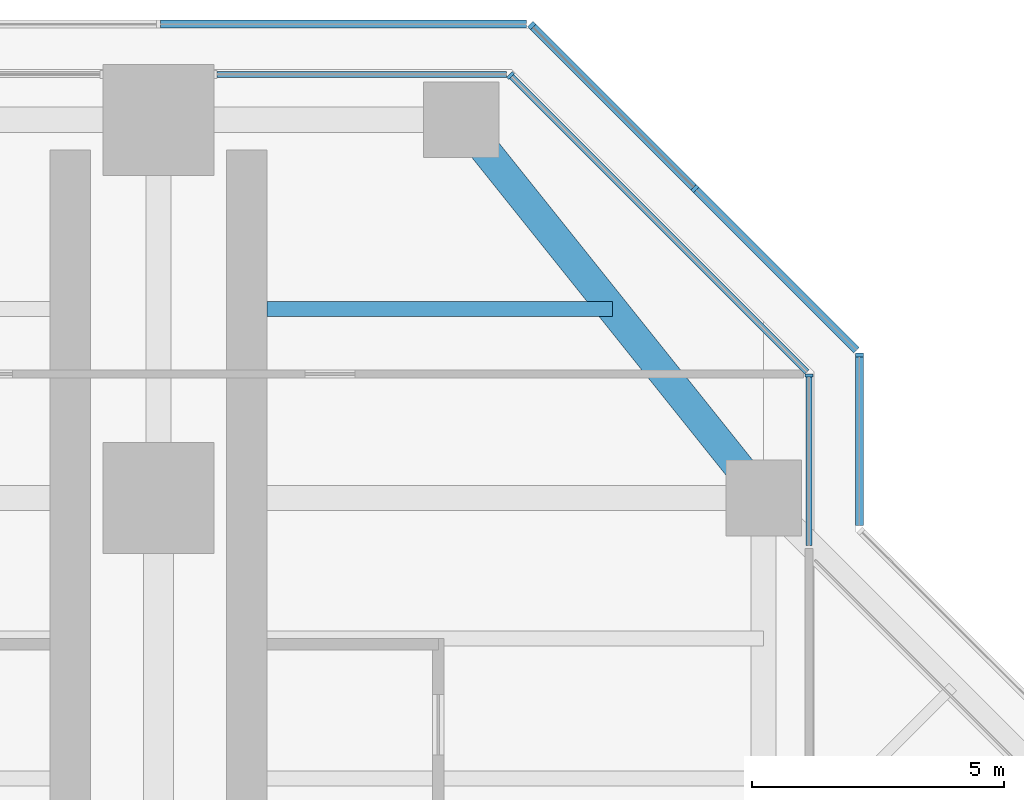
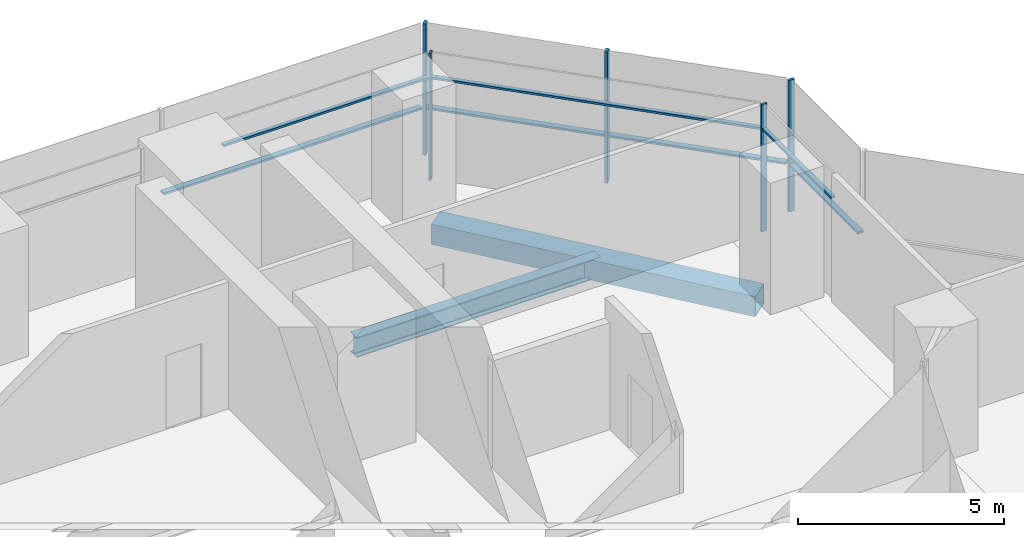
# One storey, part 9 of 17: 12 members, 2 beams, 6 elements without a shape of their own.
"""IFC4 building model written with IfcOpenShell, lengths in metres."""

from ifc_helpers import new_model, si_unit, direction, frame, origin, origin_2d, place, context, subcontext, project, spatial, rectangle, hollow_rectangle, i_section, extrude, material, material_profile, profile_set, type_object, element, aggregate, save


model = new_model("IFC4")

# Units and contexts
model_context = context("Model", 3, precision=1e-05, world=origin(), true_north=direction((0.0, 1.0)))
body_context = subcontext(model_context, "Body", "Model", "MODEL_VIEW")
ifc_project = project(units=[si_unit("LENGTHUNIT", "METRE"), si_unit("AREAUNIT", "SQUARE_METRE"), si_unit("VOLUMEUNIT", "CUBIC_METRE"), si_unit("PLANEANGLEUNIT", "RADIAN"), si_unit("MASSUNIT", "GRAM", prefix="KILO")], contexts=[model_context])

# Site, building, storey
site_placement = place(None, origin())
site = spatial("IfcSite", under=ifc_project, at=site_placement, CompositionType="ELEMENT")
building_placement = place(site_placement, origin())
building = spatial("IfcBuilding", under=site, at=building_placement, Name="Mizan Broadcast Tower", CompositionType="ELEMENT")
storey_placement = place(building_placement, frame((0.0, 0.0, 236.10009765625)))
storey = spatial("IfcBuildingStorey", under=building, at=storey_placement, Name="L55", CompositionType="ELEMENT", Elevation=236.10009765625)

# Beam
ifc_material_1 = material(Name="Steel S355", Category="steel")
ifc_material_profile_1 = material_profile(ifc_material_1, hollow_rectangle(XDim=0.60009765625, YDim=0.60009765625, WallThickness=0.030029296875, at=origin_2d()), Name="BOX 600x600x30")
ifc_profile_set_1 = profile_set([ifc_material_profile_1], Name="Steel S355")
beam_type_1 = type_object("IfcBeamType", Name="EDGE BEAM BOX 600x600x30", PredefinedType="SPANDREL", material=ifc_profile_set_1)
beam_1_placement = place(storey_placement, frame((11.639892578125, 19.949951171875, -0.43017578125), z_axis=(-0.624673911726, 0.780885717636, 0.0), x_axis=(-0.780885717636, -0.624673911726, 0.0)))
element("IfcBeam", 1, at=beam_1_placement, inside=storey, type_object=beam_type_1, Name="Edge beam BOX 600x600x30 L55 north arm", PredefinedType="SPANDREL", context=body_context, shape_type="SweptSolid", body=[
    extrude(hollow_rectangle(XDim=0.60009765625, YDim=0.60009765625, WallThickness=0.030029296875, at=origin_2d()), origin(), (0.0, 0.0, 1.0), 8.4521484375),
])

# Curtain wall, member
ifc_material_2 = material(Name="Aluminium framed glazing", Category="aluminium")
curtain_wall_type_1 = type_object("IfcCurtainWallType", Name="INNER SKIN HIGH ZONE", PredefinedType="USERDEFINED", material=ifc_material_2)
curtain_wall_1_placement = place(storey_placement, origin())
curtain_wall_1 = element("IfcCurtainWall", 2, at=curtain_wall_1_placement, inside=storey, type_object=curtain_wall_type_1, Name="Inner skin high zone L55 N side", ObjectType="INNER SKIN HIGH ZONE", PredefinedType="USERDEFINED")
ifc_material_3 = material(Name="Aluminium, pale anodised", Category="aluminium")
ifc_material_profile_2 = material_profile(ifc_material_3, rectangle(XDim=0.159912109375, YDim=0.06005859375, at=origin_2d()), Name="MULLION 160x60")
ifc_profile_set_2 = profile_set([ifc_material_profile_2], Name="Aluminium, pale anodised")
member_type_1 = type_object("IfcMemberType", Name="INNER SKIN MULLION 60x160", PredefinedType="MULLION", material=ifc_profile_set_2)
member_1_placement = place(storey_placement, frame((12.89990234375, 21.928466796875, 0.0), z_axis=(0.0, 0.0, 1.0), x_axis=(-1.0, 0.0, 0.0)))
member_1 = element("IfcMember", 3, at=member_1_placement, type_object=member_type_1, Name="Inner skin high zone L55 N side mullion 2", PredefinedType="MULLION", context=body_context, shape_type="SweptSolid", body=[
    extrude(rectangle(XDim=0.159912109375, YDim=0.06005859375, at=origin_2d()), origin(), (0.0, 0.0, 1.0), 3.77001953125),
])

curtain_wall_2_placement = place(storey_placement, origin())
curtain_wall_2 = element("IfcCurtainWall", 4, at=curtain_wall_2_placement, inside=storey, type_object=curtain_wall_type_1, Name="Inner skin high zone L55 N chamfer", ObjectType="INNER SKIN HIGH ZONE", PredefinedType="USERDEFINED")
member_2_placement = place(storey_placement, frame((6.979736328125, 27.87890625, 0.0), z_axis=(0.0, 0.0, 1.0), x_axis=(-0.707106781187, -0.707106781187, 0.0)))
member_2 = element("IfcMember", 5, at=member_2_placement, type_object=member_type_1, Name="Inner skin high zone L55 N chamfer mullion 2", PredefinedType="MULLION", context=body_context, shape_type="SweptSolid", body=[
    extrude(rectangle(XDim=0.159912109375, YDim=0.06005859375, at=origin_2d()), origin(), (0.0, 0.0, 1.0), 3.77001953125),
])

# Member
ifc_material_4 = material(Name="Aluminium, pale anodised", Category="aluminium")
ifc_material_profile_3 = material_profile(ifc_material_4, rectangle(XDim=0.1201171875, YDim=0.06005859375, at=origin_2d()), Name="TRANSOM 120x60")
ifc_profile_set_3 = profile_set([ifc_material_profile_3], Name="Aluminium, pale anodised")
member_type_2 = type_object("IfcMemberType", Name="INNER SKIN TRANSOM 60x120", PredefinedType="USERDEFINED", material=ifc_profile_set_3)
member_3_placement = place(storey_placement, frame((12.89990234375, 18.56005859375, 3.02978515625), z_axis=(0.0, 1.0, 0.0), x_axis=(-1.0, 0.0, 0.0)))
member_3 = element("IfcMember", 6, at=member_3_placement, type_object=member_type_2, Name="Inner skin high zone L55 N side transom 1.1", ObjectType="TRANSOM", PredefinedType="USERDEFINED", context=body_context, shape_type="SweptSolid", body=[
    extrude(rectangle(XDim=0.1201171875, YDim=0.06005859375, at=origin_2d()), origin(), (0.0, 0.0, 1.0), 3.338623046875),
])

aggregate(curtain_wall_1, [member_1, member_3])

member_4_placement = place(storey_placement, frame((12.857666015625, 22.0009765625, 3.02978515625), z_axis=(-0.707106781187, 0.707106781187, 0.0), x_axis=(-0.707106781187, -0.707106781187, 0.0)))
member_4 = element("IfcMember", 7, at=member_4_placement, type_object=member_type_2, Name="Inner skin high zone L55 N chamfer transom 1.1", ObjectType="TRANSOM", PredefinedType="USERDEFINED", context=body_context, shape_type="SweptSolid", body=[
    extrude(rectangle(XDim=0.1201171875, YDim=0.06005859375, at=origin_2d()), origin(), (0.0, 0.0, 1.0), 8.28271484375),
])

aggregate(curtain_wall_2, [member_2, member_4])

# Curtain wall, member
curtain_wall_3_placement = place(storey_placement, origin())
curtain_wall_3 = element("IfcCurtainWall", 8, at=curtain_wall_3_placement, inside=storey, type_object=curtain_wall_type_1, Name="Inner skin high zone L55 N end", ObjectType="INNER SKIN HIGH ZONE", PredefinedType="USERDEFINED")
member_5_placement = place(storey_placement, frame((6.898681640625, 27.89990234375, 3.02978515625), z_axis=(-1.0, 0.0, 0.0), x_axis=(0.0, -1.0, 0.0)))
member_5 = element("IfcMember", 9, at=member_5_placement, type_object=member_type_2, Name="Inner skin high zone L55 N end transom 1.1", ObjectType="TRANSOM", PredefinedType="USERDEFINED", context=body_context, shape_type="SweptSolid", body=[
    extrude(rectangle(XDim=0.1201171875, YDim=0.06005859375, at=origin_2d()), origin(), (0.0, 0.0, 1.0), 5.73876953125),
])
aggregate(curtain_wall_3, [member_5])

ifc_material_5 = material(Name="Aluminium framed glazing", Category="aluminium")
curtain_wall_type_2 = type_object("IfcCurtainWallType", Name="OUTER SKIN", PredefinedType="USERDEFINED", material=ifc_material_5)
curtain_wall_4_placement = place(storey_placement, origin())
curtain_wall_4 = element("IfcCurtainWall", 10, at=curtain_wall_4_placement, inside=storey, type_object=curtain_wall_type_2, Name="Outer skin L55 N side", ObjectType="OUTER SKIN", PredefinedType="USERDEFINED")
ifc_material_6 = material(Name="Aluminium, pale anodised", Category="aluminium")
ifc_material_profile_4 = material_profile(ifc_material_6, rectangle(XDim=0.159912109375, YDim=0.080078125, at=origin_2d()), Name="MULLION 160x80")
ifc_profile_set_4 = profile_set([ifc_material_profile_4], Name="Aluminium, pale anodised")
member_type_3 = type_object("IfcMemberType", Name="OUTER SKIN MULLION 80x160", PredefinedType="MULLION", material=ifc_profile_set_4)
member_6_placement = place(storey_placement, frame((13.89990234375, 22.332763671875, 0.0), z_axis=(0.0, 0.0, 1.0), x_axis=(-1.0, 0.0, 0.0)))
member_6 = element("IfcMember", 11, at=member_6_placement, type_object=member_type_3, Name="Outer skin L55 N side mullion 2", PredefinedType="MULLION", context=body_context, shape_type="SweptSolid", body=[
    extrude(rectangle(XDim=0.159912109375, YDim=0.080078125, at=origin_2d()), origin(), (0.0, 0.0, 1.0), 3.89990234375),
])

# Curtain wall, members
curtain_wall_5_placement = place(storey_placement, origin())
curtain_wall_5 = element("IfcCurtainWall", 12, at=curtain_wall_5_placement, inside=storey, type_object=curtain_wall_type_2, Name="Outer skin L55 N chamfer", ObjectType="OUTER SKIN", PredefinedType="USERDEFINED")
member_7_placement = place(storey_placement, frame((10.636474609375, 25.636474609375, 0.0), z_axis=(0.0, 0.0, 1.0), x_axis=(-0.707106781187, -0.707106781187, 0.0)))
member_7 = element("IfcMember", 13, at=member_7_placement, type_object=member_type_3, Name="Outer skin L55 N chamfer mullion 2", PredefinedType="MULLION", context=body_context, shape_type="SweptSolid", body=[
    extrude(rectangle(XDim=0.159912109375, YDim=0.080078125, at=origin_2d()), origin(), (0.0, 0.0, 1.0), 3.89990234375),
])
member_8_placement = place(storey_placement, frame((7.401123046875, 28.871826171875, 0.0), z_axis=(0.0, 0.0, 1.0), x_axis=(-0.707106781187, -0.707106781187, 0.0)))
member_8 = element("IfcMember", 14, at=member_8_placement, type_object=member_type_3, Name="Outer skin L55 N chamfer mullion 3", PredefinedType="MULLION", context=body_context, shape_type="SweptSolid", body=[
    extrude(rectangle(XDim=0.159912109375, YDim=0.080078125, at=origin_2d()), origin(), (0.0, 0.0, 1.0), 3.89990234375),
])

# Member
ifc_material_7 = material(Name="Aluminium, pale anodised", Category="aluminium")
ifc_material_profile_5 = material_profile(ifc_material_7, rectangle(XDim=0.159912109375, YDim=0.06005859375, at=origin_2d()), Name="TRANSOM 160x60")
ifc_profile_set_5 = profile_set([ifc_material_profile_5], Name="Aluminium, pale anodised")
member_type_4 = type_object("IfcMemberType", Name="OUTER SKIN TRANSOM 60x160", PredefinedType="USERDEFINED", material=ifc_profile_set_5)
member_9_placement = place(storey_placement, frame((13.89990234375, 18.952880859375, 1.39990234375), z_axis=(0.0, 1.0, 0.0), x_axis=(-1.0, 0.0, 0.0)))
member_9 = element("IfcMember", 15, at=member_9_placement, type_object=member_type_4, Name="Outer skin L55 N side transom 1.1", ObjectType="TRANSOM", PredefinedType="USERDEFINED", context=body_context, shape_type="SweptSolid", body=[
    extrude(rectangle(XDim=0.159912109375, YDim=0.06005859375, at=origin_2d()), origin(), (0.0, 0.0, 1.0), 3.33984375),
])

aggregate(curtain_wall_4, [member_6, member_9])

member_10_placement = place(storey_placement, frame((13.843505859375, 22.429443359375, 1.39990234375), z_axis=(-0.707106781187, 0.707106781187, 0.0), x_axis=(-0.707106781187, -0.707106781187, 0.0)))
member_10 = element("IfcMember", 16, at=member_10_placement, type_object=member_type_4, Name="Outer skin L55 N chamfer transom 1.1", ObjectType="TRANSOM", PredefinedType="USERDEFINED", context=body_context, shape_type="SweptSolid", body=[
    extrude(rectangle(XDim=0.159912109375, YDim=0.06005859375, at=origin_2d()), origin(), (0.0, 0.0, 1.0), 4.495361328125),
])

member_11_placement = place(storey_placement, frame((10.608154296875, 25.664794921875, 1.39990234375), z_axis=(-0.707106781187, 0.707106781187, 0.0), x_axis=(-0.707106781187, -0.707106781187, 0.0)))
member_11 = element("IfcMember", 17, at=member_11_placement, type_object=member_type_4, Name="Outer skin L55 N chamfer transom 2.1", ObjectType="TRANSOM", PredefinedType="USERDEFINED", context=body_context, shape_type="SweptSolid", body=[
    extrude(rectangle(XDim=0.159912109375, YDim=0.06005859375, at=origin_2d()), origin(), (0.0, 0.0, 1.0), 4.495361328125),
])

aggregate(curtain_wall_5, [member_7, member_8, member_10, member_11])

# Curtain wall, member
curtain_wall_6_placement = place(storey_placement, origin())
curtain_wall_6 = element("IfcCurtainWall", 18, at=curtain_wall_6_placement, inside=storey, type_object=curtain_wall_type_2, Name="Outer skin L55 N end", ObjectType="OUTER SKIN", PredefinedType="USERDEFINED")
member_12_placement = place(storey_placement, frame((7.292724609375, 28.89990234375, 1.39990234375), z_axis=(-1.0, 0.0, 0.0), x_axis=(0.0, -1.0, 0.0)))
member_12 = element("IfcMember", 19, at=member_12_placement, type_object=member_type_4, Name="Outer skin L55 N end transom 1.1", ObjectType="TRANSOM", PredefinedType="USERDEFINED", context=body_context, shape_type="SweptSolid", body=[
    extrude(rectangle(XDim=0.159912109375, YDim=0.06005859375, at=origin_2d()), origin(), (0.0, 0.0, 1.0), 7.252685546875),
])
aggregate(curtain_wall_6, [member_12])

# Beam
ifc_material_8 = material(Name="Steel S355", Category="steel")
ifc_material_profile_6 = material_profile(ifc_material_8, i_section(OverallWidth=0.300048828125, OverallDepth=0.590087890625, WebThickness=0.012939453125, FlangeThickness=0.02490234375, FilletRadius=0.027099609375, at=origin_2d()), Name="HEA 600")
ifc_profile_set_6 = profile_set([ifc_material_profile_6], Name="Steel S355")
beam_type_2 = type_object("IfcBeamType", Name="SECONDARY BEAM HEA 600", PredefinedType="JOIST", material=ifc_profile_set_6)
beam_2_placement = place(storey_placement, frame((9.0, 23.25, -0.425048828125), z_axis=(-1.0, 0.0, 0.0), x_axis=(0.0, -1.0, 0.0)))
element("IfcBeam", 20, at=beam_2_placement, inside=storey, type_object=beam_type_2, Name="Secondary beam HEA 600 L55 north arm", PredefinedType="JOIST", context=body_context, shape_type="SweptSolid", body=[
    extrude(i_section(OverallWidth=0.300048828125, OverallDepth=0.590087890625, WebThickness=0.012939453125, FlangeThickness=0.02490234375, FilletRadius=0.027099609375, at=origin_2d()), origin(), (0.0, 0.0, 1.0), 6.85009765625),
])

save(model, "model.ifc")
